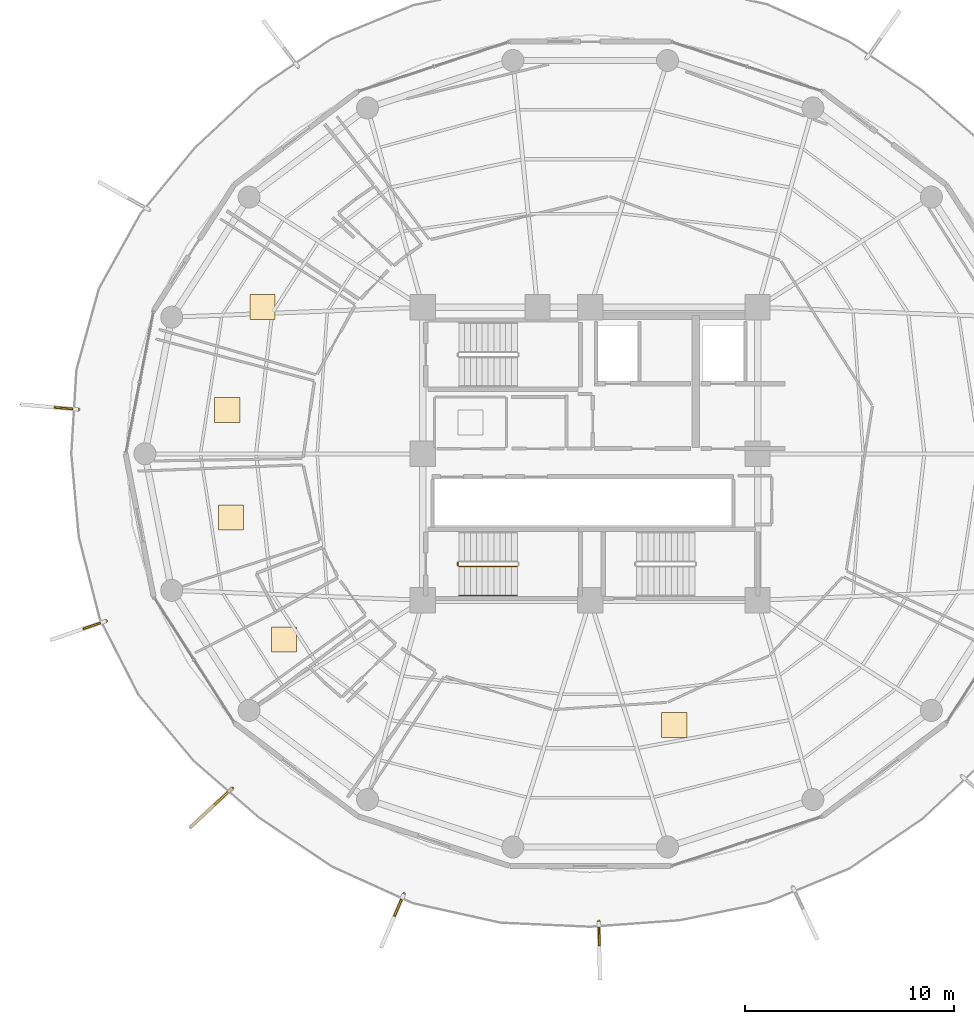
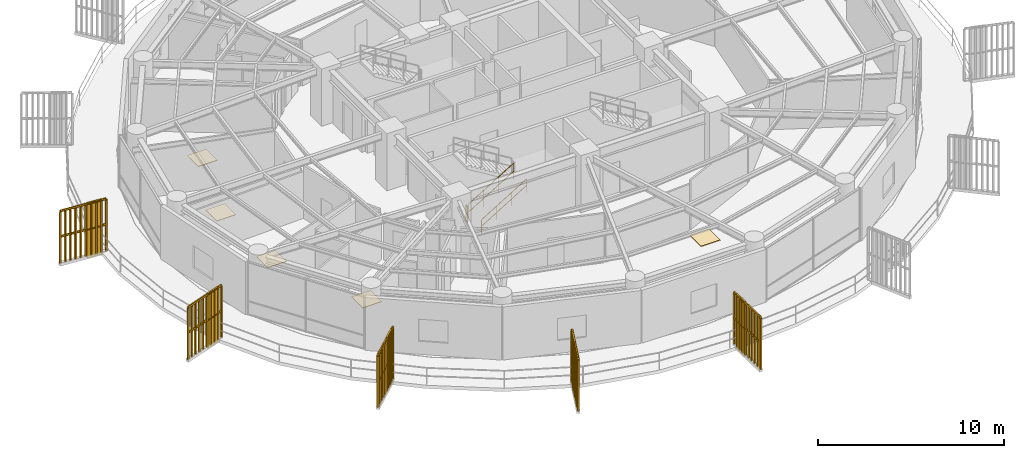
# One storey, part 27 of 30: 8 railings, 5 coverings, 5 shading devices.
"""IFC4 building model written with IfcOpenShell, lengths in metres."""

import ifcopenshell
import ifcopenshell.guid

model = None  # the IFC model being written
_history = None  # IfcOwnerHistory: only IFC2X3 demands one
_inside = {}  # id of a spatial element -> (the spatial element, [elements in it])
_under = {}  # id of a project, library or spatial element -> (it, [spatial elements below it])
_declared = {}  # id of a project -> (the project, [libraries it declares])
_typed = {}  # id of a type object -> (the type object, [elements of that type])
_made_of = {}  # id of a material, layer set ... -> (it, [elements and type objects made of it])


def new_model(schema):
    """Start an empty IFC model of exactly this schema.

    Asked for "IFC4X3", IfcOpenShell would pick the latest addendum, in which some entities
    have other attributes; the version numbers below select the first issue.
    IFC2X3 requires an IfcOwnerHistory on every rooted entity: one is made here for all.
    """
    global model, _history
    if schema == "IFC4X3":
        model = ifcopenshell.file(schema_version=(4, 3, 0, 0))
    else:
        model = ifcopenshell.file(schema=schema)
    _inside.clear()
    _under.clear()
    _declared.clear()
    _typed.clear()
    _made_of.clear()
    _history = None
    if model.schema == "IFC2X3":
        org = make("IfcOrganization", Name="unknown")
        user = make(
            "IfcPersonAndOrganization",
            ThePerson=make("IfcPerson", FamilyName="unknown"),
            TheOrganization=org,
        )
        app = make(
            "IfcApplication",
            ApplicationDeveloper=org,
            Version="unknown",
            ApplicationFullName="unknown",
            ApplicationIdentifier="unknown",
        )
        _history = make(
            "IfcOwnerHistory",
            OwningUser=user,
            OwningApplication=app,
            ChangeAction="ADDED",
            CreationDate=0,
        )
    return model


def make(cls, **values):
    """One entity of the class cls with the attributes given. An attribute that is None is left unset."""
    return model.create_entity(
        cls, **{name: value for name, value in values.items() if value is not None}
    )


def rooted(cls, **values):
    """An entity with a GlobalId (a new one), such as an element, a storey or a relation."""
    return make(cls, GlobalId=ifcopenshell.guid.new(), OwnerHistory=_history, **values)


def si_unit(unit_type, name, prefix=None):
    """IfcSIUnit, for example si_unit("LENGTHUNIT", "METRE", prefix="MILLI")."""
    return make("IfcSIUnit", UnitType=unit_type, Prefix=prefix, Name=name)


def assignment(units):
    """IfcUnitAssignment: the units of a project."""
    return None if units is None else make("IfcUnitAssignment", Units=units)


def point(xyz):
    """IfcCartesianPoint."""
    return None if xyz is None else make("IfcCartesianPoint", Coordinates=xyz)


def direction(xyz):
    """IfcDirection."""
    return None if xyz is None else make("IfcDirection", DirectionRatios=xyz)


def frame(location, z_axis=None, x_axis=None):
    """IfcAxis2Placement3D, a coordinate frame: its origin and axes. An axis left out is left unset."""
    return make(
        "IfcAxis2Placement3D",
        Location=point(location),
        Axis=direction(z_axis),
        RefDirection=direction(x_axis),
    )


def frame_2d(location, x_axis=None):
    """IfcAxis2Placement2D, a coordinate frame in the plane: its origin and x axis."""
    return make(
        "IfcAxis2Placement2D", Location=point(location), RefDirection=direction(x_axis)
    )


def origin():
    """The frame at (0, 0, 0) with its axes left unset."""
    return frame((0.0, 0.0, 0.0))


def origin_2d():
    """The frame at (0, 0) in the plane with its x axis left unset."""
    return frame_2d((0.0, 0.0))


def place(relative_to, where):
    """IfcLocalPlacement: puts the frame where relative to a parent placement (None: the world)."""
    return make(
        "IfcLocalPlacement", PlacementRelTo=relative_to, RelativePlacement=where
    )


def context(
    kind, dimensions, precision=None, world=None, true_north=None, identifier=None
):
    """IfcGeometricRepresentationContext, for example the 3D "Model" context."""
    return make(
        "IfcGeometricRepresentationContext",
        ContextIdentifier=identifier,
        ContextType=kind,
        CoordinateSpaceDimension=dimensions,
        Precision=precision,
        WorldCoordinateSystem=world,
        TrueNorth=true_north,
    )


def subcontext(parent, identifier, kind, view, scale=None):
    """IfcGeometricRepresentationSubContext, for example "Body" below "Model"."""
    return make(
        "IfcGeometricRepresentationSubContext",
        ContextIdentifier=identifier,
        ContextType=kind,
        ParentContext=parent,
        TargetScale=scale,
        TargetView=view,
    )


def project(units=None, contexts=None):
    """IfcProject with its units and contexts."""
    return rooted(
        "IfcProject",
        Name="project",
        RepresentationContexts=contexts,
        UnitsInContext=assignment(units),
    )


def spatial(cls, under=None, at=None, **own):
    """A site, building, storey or space (cls), placed at a placement, below another one or the project."""
    s = rooted(cls, ObjectPlacement=at, **own)
    if under is not None:
        _under.setdefault(under.id(), (under, []))[1].append(s)
    return s


def polyline(points):
    """IfcPolyline through the points."""
    return make("IfcPolyline", Points=[point(p) for p in points])


def profile(cls, at=None, kind="AREA", **sizes):
    """A parametric profile (cls). Its sizes go by their IFC names, for example OverallWidth=200.0."""
    return make(cls, ProfileType=kind, Position=at, **sizes)


def rectangle(**sizes):
    """IfcRectangleProfileDef."""
    return profile("IfcRectangleProfileDef", **sizes)


def outline(outer, holes=None, kind="AREA"):
    """IfcArbitraryClosedProfileDef: a profile drawn as a closed curve; with holes, ...WithVoids."""
    if holes is None:
        return make("IfcArbitraryClosedProfileDef", ProfileType=kind, OuterCurve=outer)
    return make(
        "IfcArbitraryProfileDefWithVoids",
        ProfileType=kind,
        OuterCurve=outer,
        InnerCurves=holes,
    )


def extrude(swept, where, along, depth):
    """IfcExtrudedAreaSolid: the profile swept, set in the frame where, extruded along a direction by depth."""
    return make(
        "IfcExtrudedAreaSolid",
        SweptArea=swept,
        Position=where,
        ExtrudedDirection=direction(along),
        Depth=depth,
    )


def shape(context_of_items, identifier, shape_type, items):
    """IfcShapeRepresentation: the items that make up one representation, for example the "Body"."""
    return make(
        "IfcShapeRepresentation",
        ContextOfItems=context_of_items,
        RepresentationIdentifier=identifier,
        RepresentationType=shape_type,
        Items=items,
    )


def source(mapping_origin, context_of_items, identifier, shape_type, items):
    """IfcRepresentationMap: a shape defined once, which mapped items show again and again."""
    return make(
        "IfcRepresentationMap",
        MappingOrigin=mapping_origin,
        MappedRepresentation=shape(context_of_items, identifier, shape_type, items),
    )


def transform(
    local_origin,
    x_axis=None,
    y_axis=None,
    z_axis=None,
    scale=None,
    scale2=None,
    scale3=None,
    uniform=True,
):
    """IfcCartesianTransformationOperator3D, or its non-uniform kind. x_axis, y_axis, z_axis: its Axis1, 2, 3."""
    if uniform:
        return make(
            "IfcCartesianTransformationOperator3D",
            Axis1=direction(x_axis),
            Axis2=direction(y_axis),
            LocalOrigin=point(local_origin),
            Scale=scale,
            Axis3=direction(z_axis),
        )
    return make(
        "IfcCartesianTransformationOperator3DnonUniform",
        Axis1=direction(x_axis),
        Axis2=direction(y_axis),
        LocalOrigin=point(local_origin),
        Scale=scale,
        Axis3=direction(z_axis),
        Scale2=scale2,
        Scale3=scale3,
    )


def mapped(mapping_source, mapping_target):
    """IfcMappedItem: shows the shape of a source again, moved by a transform."""
    return make(
        "IfcMappedItem", MappingSource=mapping_source, MappingTarget=mapping_target
    )


def material(Name=None, Category=None):
    """IfcMaterial."""
    return make("IfcMaterial", Name=Name, Category=Category)


def layer(
    of_material, thickness, ventilated=None, Name=None, Category=None, Priority=None
):
    """IfcMaterialLayer: one layer of a wall or slab, of a material (None: an air gap)."""
    return make(
        "IfcMaterialLayer",
        Material=of_material,
        LayerThickness=thickness,
        IsVentilated=ventilated,
        Name=Name,
        Category=Category,
        Priority=Priority,
    )


def layer_set(layers, Name=None):
    """IfcMaterialLayerSet."""
    return make("IfcMaterialLayerSet", MaterialLayers=layers, LayerSetName=Name)


def made_of(thing, what):
    """Note that an element or type object is made of a material, layer set ...; save() writes the relation."""
    if what is not None:
        _made_of.setdefault(what.id(), (what, []))[1].append(thing)
    return thing


def type_object(cls, material=None, **own):
    """A type object (cls), such as IfcWallType, which elements share."""
    return made_of(rooted(cls, **own), material)


def element(
    cls,
    number,
    at=None,
    inside=None,
    cuts=None,
    type_object=None,
    material=None,
    context=None,
    identifier="Body",
    shape_type=None,
    held_by="IfcProductDefinitionShape",
    body=None,
    shapes=None,
    **own,
):
    """One element of the class cls, such as IfcWall. Its Tag is "e" and its number.

    at: its placement. inside: the storey or other place that contains it. cuts: it is an
    opening in that element (IfcRelVoidsElement). A single representation is given by context,
    identifier, shape_type and body (its items); several are given by shapes. held_by: the class
    of the entity that holds the representations. save() writes the other relations.
    """
    e = rooted(cls, Tag="e%d" % number, ObjectPlacement=at, **own)
    if body is not None:
        shapes = [shape(context, identifier, shape_type, body)]
    if shapes is not None:
        e.Representation = make(held_by, Representations=shapes)
    if inside is not None:
        _inside.setdefault(inside.id(), (inside, []))[1].append(e)
    if cuts is not None:
        rooted(
            "IfcRelVoidsElement", RelatingBuildingElement=cuts, RelatedOpeningElement=e
        )
    if type_object is not None:
        _typed.setdefault(type_object.id(), (type_object, []))[1].append(e)
    return made_of(e, material)


def aggregate(whole, parts):
    """IfcRelAggregates: a whole, such as a stair, and the parts it consists of."""
    return rooted("IfcRelAggregates", RelatingObject=whole, RelatedObjects=parts)


def save(model, path):
    """Write the relations noted so far, then the file.

    IfcRelAggregates (storeys below a building ...), IfcRelContainedInSpatialStructure (elements
    in a storey), IfcRelDefinesByType, IfcRelAssociatesMaterial and IfcRelDeclares: one each for
    every whole, place, type object, material and project.
    """
    for whole, parts in _under.values():
        aggregate(whole, parts)
    for where, things in _inside.values():
        rooted(
            "IfcRelContainedInSpatialStructure",
            RelatedElements=things,
            RelatingStructure=where,
        )
    for kind, things in _typed.values():
        rooted("IfcRelDefinesByType", RelatedObjects=things, RelatingType=kind)
    for what, things in _made_of.values():
        rooted("IfcRelAssociatesMaterial", RelatedObjects=things, RelatingMaterial=what)
    for by, libraries in _declared.values():
        rooted("IfcRelDeclares", RelatingContext=by, RelatedDefinitions=libraries)
    model.write(path)


model = new_model("IFC4")

# Units and contexts
model_context = context("Model", 3, precision=1e-05, world=origin(), true_north=direction((0.0, 1.0)))
body_context = subcontext(model_context, "Body", "Model", "MODEL_VIEW")
ifc_project = project(units=[si_unit("LENGTHUNIT", "METRE"), si_unit("AREAUNIT", "SQUARE_METRE"), si_unit("VOLUMEUNIT", "CUBIC_METRE"), si_unit("PLANEANGLEUNIT", "RADIAN"), si_unit("MASSUNIT", "GRAM", prefix="KILO")], contexts=[model_context])

# Site, building, storey
site_placement = place(None, origin())
site = spatial("IfcSite", under=ifc_project, at=site_placement, CompositionType="ELEMENT")
building_placement = place(site_placement, origin())
building = spatial("IfcBuilding", under=site, at=building_placement, Name="Kelanora Arch Commons", CompositionType="ELEMENT")
storey_placement = place(building_placement, frame((0.0, 0.0, 215.699951171875)))
storey = spatial("IfcBuildingStorey", under=building, at=storey_placement, Name="L55", CompositionType="ELEMENT", Elevation=215.699951171875)

# Railings
ifc_material_1 = material(Name="Anodised bronze vertical shading fin rib assembly")
railing_type_1 = type_object("IfcRailingType", Name="RAIL-FIN-BRZ", PredefinedType="BALUSTRADE", material=ifc_material_1)
railing_1_placement = place(storey_placement, frame((49.55322265625, 60.115966796875, -0.02001953125)))
element("IfcRailing", 1, at=railing_1_placement, inside=storey, type_object=railing_type_1, Name="Sweeping Bronze Vertical Fin Blade L55-09", PredefinedType="BALUSTRADE", context=body_context, shape_type="SweptSolid", body=[
    extrude(outline(polyline([(0.06982421875, 0.0), (0.034912109375, 0.060546875), (-0.034912109375, 0.060546875), (-0.06982421875, 0.0), (-0.034912109375, -0.060546875), (0.034912109375, -0.060546875), (0.06982421875, 0.0)])), frame((0.0, 0.0, 3.419921875), z_axis=(-0.996276743777, 0.086212816966, 0.0), x_axis=(-0.086212816966, -0.996276743777, 0.0)), (0.0, 0.0, 1.0), 2.72998046875),
    extrude(outline(polyline([(0.06982421875, 0.0), (0.034912109375, 0.060546875), (-0.034912109375, 0.060546875), (-0.06982421875, 0.0), (-0.034912109375, -0.060546875), (0.034912109375, -0.060546875), (0.06982421875, 0.0)])), frame((0.0, 0.0, 1.7451171875), z_axis=(-0.996276743777, 0.086212816966, 0.0), x_axis=(-0.086212816966, -0.996276743777, 0.0)), (0.0, 0.0, 1.0), 2.72998046875),
    extrude(outline(polyline([(0.080078125, 0.0), (0.0400390625, 0.0693359375), (-0.0400390625, 0.0693359375), (-0.080078125, 0.0), (-0.0400390625, -0.0693359375), (0.0400390625, -0.0693359375), (0.080078125, 0.0)])), origin(), (0.0, 0.0, 1.0), 3.35009765625),
    extrude(outline(polyline([(0.080078125, 0.0), (0.0400390625, 0.0693359375), (-0.0400390625, 0.0693359375), (-0.080078125, 0.0), (-0.0400390625, -0.0693359375), (0.0400390625, -0.0693359375), (0.080078125, 0.0)])), frame((-0.30224609375, 0.026123046875, 0.0)), (0.0, 0.0, 1.0), 3.35009765625),
    extrude(outline(polyline([(0.080078125, 0.0), (0.0400390625, 0.0693359375), (-0.0400390625, 0.0693359375), (-0.080078125, 0.0), (-0.0400390625, -0.0693359375), (0.0400390625, -0.0693359375), (0.080078125, 0.0)])), frame((-0.6044921875, 0.05224609375, 0.0)), (0.0, 0.0, 1.0), 3.35009765625),
    extrude(outline(polyline([(0.080078125, 0.0), (0.0400390625, 0.0693359375), (-0.0400390625, 0.0693359375), (-0.080078125, 0.0), (-0.0400390625, -0.0693359375), (0.0400390625, -0.0693359375), (0.080078125, 0.0)])), frame((-0.906494140625, 0.078369140625, 0.0)), (0.0, 0.0, 1.0), 3.35009765625),
    extrude(outline(polyline([(0.080078125, 0.0), (0.0400390625, 0.0693359375), (-0.0400390625, 0.0693359375), (-0.080078125, 0.0), (-0.0400390625, -0.0693359375), (0.0400390625, -0.0693359375), (0.080078125, 0.0)])), frame((-1.208740234375, 0.1044921875, 0.0)), (0.0, 0.0, 1.0), 3.35009765625),
    extrude(outline(polyline([(0.080078125, 0.0), (0.0400390625, 0.0693359375), (-0.0400390625, 0.0693359375), (-0.080078125, 0.0), (-0.0400390625, -0.0693359375), (0.0400390625, -0.0693359375), (0.080078125, 0.0)])), frame((-1.510986328125, 0.130859375, 0.0)), (0.0, 0.0, 1.0), 3.35009765625),
    extrude(outline(polyline([(0.080078125, 0.0), (0.0400390625, 0.0693359375), (-0.0400390625, 0.0693359375), (-0.080078125, 0.0), (-0.0400390625, -0.0693359375), (0.0400390625, -0.0693359375), (0.080078125, 0.0)])), frame((-1.813232421875, 0.156982421875, 0.0)), (0.0, 0.0, 1.0), 3.35009765625),
    extrude(outline(polyline([(0.080078125, 0.0), (0.0400390625, 0.0693359375), (-0.0400390625, 0.0693359375), (-0.080078125, 0.0), (-0.0400390625, -0.0693359375), (0.0400390625, -0.0693359375), (0.080078125, 0.0)])), frame((-2.115234375, 0.18310546875, 0.0)), (0.0, 0.0, 1.0), 3.35009765625),
    extrude(outline(polyline([(0.080078125, 0.0), (0.0400390625, 0.0693359375), (-0.0400390625, 0.0693359375), (-0.080078125, 0.0), (-0.0400390625, -0.0693359375), (0.0400390625, -0.0693359375), (0.080078125, 0.0)])), frame((-2.41748046875, 0.209228515625, 0.0)), (0.0, 0.0, 1.0), 3.35009765625),
    extrude(outline(polyline([(0.080078125, 0.0), (0.0400390625, 0.0693359375), (-0.0400390625, 0.0693359375), (-0.080078125, 0.0), (-0.0400390625, -0.0693359375), (0.0400390625, -0.0693359375), (0.080078125, 0.0)])), frame((-2.7197265625, 0.2353515625, 0.0)), (0.0, 0.0, 1.0), 3.35009765625),
])
railing_2_placement = place(storey_placement, frame((50.864013671875, 50.009765625, -0.02001953125)))
element("IfcRailing", 2, at=railing_2_placement, inside=storey, type_object=railing_type_1, Name="Sweeping Bronze Vertical Fin Blade L55-10", PredefinedType="BALUSTRADE", context=body_context, shape_type="SweptSolid", body=[
    extrude(outline(polyline([(0.06982421875, 0.0), (0.034912109375, 0.060546875), (-0.034912109375, 0.060546875), (-0.06982421875, 0.0), (-0.034912109375, -0.060546875), (0.034912109375, -0.060546875), (0.06982421875, 0.0)])), frame((0.0, 0.0, 3.419921875), z_axis=(-0.945202749365, -0.326483939256, 0.0), x_axis=(0.326483939256, -0.945202749365, 0.0)), (0.0, 0.0, 1.0), 2.730224609375),
    extrude(outline(polyline([(0.06982421875, 0.0), (0.034912109375, 0.060546875), (-0.034912109375, 0.060546875), (-0.06982421875, 0.0), (-0.034912109375, -0.060546875), (0.034912109375, -0.060546875), (0.06982421875, 0.0)])), frame((0.0, 0.0, 1.7451171875), z_axis=(-0.945202749365, -0.326483939256, 0.0), x_axis=(0.326483939256, -0.945202749365, 0.0)), (0.0, 0.0, 1.0), 2.730224609375),
    extrude(outline(polyline([(0.080078125, 0.0), (0.0400390625, 0.0693359375), (-0.0400390625, 0.0693359375), (-0.080078125, 0.0), (-0.0400390625, -0.0693359375), (0.0400390625, -0.0693359375), (0.080078125, 0.0)])), origin(), (0.0, 0.0, 1.0), 3.35009765625),
    extrude(outline(polyline([(0.080078125, 0.0), (0.0400390625, 0.0693359375), (-0.0400390625, 0.0693359375), (-0.080078125, 0.0), (-0.0400390625, -0.0693359375), (0.0400390625, -0.0693359375), (0.080078125, 0.0)])), frame((-0.28662109375, -0.09912109375, 0.0)), (0.0, 0.0, 1.0), 3.35009765625),
    extrude(outline(polyline([(0.080078125, 0.0), (0.0400390625, 0.0693359375), (-0.0400390625, 0.0693359375), (-0.080078125, 0.0), (-0.0400390625, -0.0693359375), (0.0400390625, -0.0693359375), (0.080078125, 0.0)])), frame((-0.573486328125, -0.197998046875, 0.0)), (0.0, 0.0, 1.0), 3.35009765625),
    extrude(outline(polyline([(0.080078125, 0.0), (0.0400390625, 0.0693359375), (-0.0400390625, 0.0693359375), (-0.080078125, 0.0), (-0.0400390625, -0.0693359375), (0.0400390625, -0.0693359375), (0.080078125, 0.0)])), frame((-0.860107421875, -0.297119140625, 0.0)), (0.0, 0.0, 1.0), 3.35009765625),
    extrude(outline(polyline([(0.080078125, 0.0), (0.0400390625, 0.0693359375), (-0.0400390625, 0.0693359375), (-0.080078125, 0.0), (-0.0400390625, -0.0693359375), (0.0400390625, -0.0693359375), (0.080078125, 0.0)])), frame((-1.14697265625, -0.396240234375, 0.0)), (0.0, 0.0, 1.0), 3.35009765625),
    extrude(outline(polyline([(0.080078125, 0.0), (0.0400390625, 0.0693359375), (-0.0400390625, 0.0693359375), (-0.080078125, 0.0), (-0.0400390625, -0.0693359375), (0.0400390625, -0.0693359375), (0.080078125, 0.0)])), frame((-1.43359375, -0.4951171875, 0.0)), (0.0, 0.0, 1.0), 3.35009765625),
    extrude(outline(polyline([(0.080078125, 0.0), (0.0400390625, 0.0693359375), (-0.0400390625, 0.0693359375), (-0.080078125, 0.0), (-0.0400390625, -0.0693359375), (0.0400390625, -0.0693359375), (0.080078125, 0.0)])), frame((-1.720458984375, -0.59423828125, 0.0)), (0.0, 0.0, 1.0), 3.35009765625),
    extrude(outline(polyline([(0.080078125, 0.0), (0.0400390625, 0.0693359375), (-0.0400390625, 0.0693359375), (-0.080078125, 0.0), (-0.0400390625, -0.0693359375), (0.0400390625, -0.0693359375), (0.080078125, 0.0)])), frame((-2.007080078125, -0.693359375, 0.0)), (0.0, 0.0, 1.0), 3.35009765625),
    extrude(outline(polyline([(0.080078125, 0.0), (0.0400390625, 0.0693359375), (-0.0400390625, 0.0693359375), (-0.080078125, 0.0), (-0.0400390625, -0.0693359375), (0.0400390625, -0.0693359375), (0.080078125, 0.0)])), frame((-2.2939453125, -0.792236328125, 0.0)), (0.0, 0.0, 1.0), 3.35009765625),
    extrude(outline(polyline([(0.080078125, 0.0), (0.0400390625, 0.0693359375), (-0.0400390625, 0.0693359375), (-0.080078125, 0.0), (-0.0400390625, -0.0693359375), (0.0400390625, -0.0693359375), (0.080078125, 0.0)])), frame((-2.58056640625, -0.891357421875, 0.0)), (0.0, 0.0, 1.0), 3.35009765625),
])
railing_3_placement = place(storey_placement, frame((56.894287109375, 42.01904296875, -0.02001953125)))
element("IfcRailing", 3, at=railing_3_placement, inside=storey, type_object=railing_type_1, Name="Sweeping Bronze Vertical Fin Blade L55-11", PredefinedType="BALUSTRADE", context=body_context, shape_type="SweptSolid", body=[
    extrude(outline(polyline([(0.06982421875, 0.0), (0.034912109375, 0.060546875), (-0.034912109375, 0.060546875), (-0.06982421875, 0.0), (-0.034912109375, -0.060546875), (0.034912109375, -0.060546875), (0.06982421875, 0.0)])), frame((0.0, 0.0, 3.419921875), z_axis=(-0.730754822397, -0.682640014607, 0.0), x_axis=(0.682640014607, -0.730754822397, 0.0)), (0.0, 0.0, 1.0), 2.72998046875),
    extrude(outline(polyline([(0.06982421875, 0.0), (0.034912109375, 0.060546875), (-0.034912109375, 0.060546875), (-0.06982421875, 0.0), (-0.034912109375, -0.060546875), (0.034912109375, -0.060546875), (0.06982421875, 0.0)])), frame((0.0, 0.0, 1.7451171875), z_axis=(-0.730754822397, -0.682640014607, 0.0), x_axis=(0.682640014607, -0.730754822397, 0.0)), (0.0, 0.0, 1.0), 2.72998046875),
    extrude(outline(polyline([(0.080078125, 0.0), (0.0400390625, 0.0693359375), (-0.0400390625, 0.0693359375), (-0.080078125, 0.0), (-0.0400390625, -0.0693359375), (0.0400390625, -0.0693359375), (0.080078125, 0.0)])), origin(), (0.0, 0.0, 1.0), 3.35009765625),
    extrude(outline(polyline([(0.080078125, 0.0), (0.0400390625, 0.0693359375), (-0.0400390625, 0.0693359375), (-0.080078125, 0.0), (-0.0400390625, -0.0693359375), (0.0400390625, -0.0693359375), (0.080078125, 0.0)])), frame((-0.2216796875, -0.20703125, 0.0)), (0.0, 0.0, 1.0), 3.35009765625),
    extrude(outline(polyline([(0.080078125, 0.0), (0.0400390625, 0.0693359375), (-0.0400390625, 0.0693359375), (-0.080078125, 0.0), (-0.0400390625, -0.0693359375), (0.0400390625, -0.0693359375), (0.080078125, 0.0)])), frame((-0.443359375, -0.4140625, 0.0)), (0.0, 0.0, 1.0), 3.35009765625),
    extrude(outline(polyline([(0.080078125, 0.0), (0.0400390625, 0.0693359375), (-0.0400390625, 0.0693359375), (-0.080078125, 0.0), (-0.0400390625, -0.0693359375), (0.0400390625, -0.0693359375), (0.080078125, 0.0)])), frame((-0.6650390625, -0.62109375, 0.0)), (0.0, 0.0, 1.0), 3.35009765625),
    extrude(outline(polyline([(0.080078125, 0.0), (0.0400390625, 0.0693359375), (-0.0400390625, 0.0693359375), (-0.080078125, 0.0), (-0.0400390625, -0.0693359375), (0.0400390625, -0.0693359375), (0.080078125, 0.0)])), frame((-0.88671875, -0.828125, 0.0)), (0.0, 0.0, 1.0), 3.35009765625),
    extrude(outline(polyline([(0.080078125, 0.0), (0.0400390625, 0.0693359375), (-0.0400390625, 0.0693359375), (-0.080078125, 0.0), (-0.0400390625, -0.0693359375), (0.0400390625, -0.0693359375), (0.080078125, 0.0)])), frame((-1.108154296875, -1.035400390625, 0.0)), (0.0, 0.0, 1.0), 3.35009765625),
    extrude(outline(polyline([(0.080078125, 0.0), (0.0400390625, 0.0693359375), (-0.0400390625, 0.0693359375), (-0.080078125, 0.0), (-0.0400390625, -0.0693359375), (0.0400390625, -0.0693359375), (0.080078125, 0.0)])), frame((-1.329833984375, -1.242431640625, 0.0)), (0.0, 0.0, 1.0), 3.35009765625),
    extrude(outline(polyline([(0.080078125, 0.0), (0.0400390625, 0.0693359375), (-0.0400390625, 0.0693359375), (-0.080078125, 0.0), (-0.0400390625, -0.0693359375), (0.0400390625, -0.0693359375), (0.080078125, 0.0)])), frame((-1.551513671875, -1.449462890625, 0.0)), (0.0, 0.0, 1.0), 3.35009765625),
    extrude(outline(polyline([(0.080078125, 0.0), (0.0400390625, 0.0693359375), (-0.0400390625, 0.0693359375), (-0.080078125, 0.0), (-0.0400390625, -0.0693359375), (0.0400390625, -0.0693359375), (0.080078125, 0.0)])), frame((-1.773193359375, -1.656494140625, 0.0)), (0.0, 0.0, 1.0), 3.35009765625),
    extrude(outline(polyline([(0.080078125, 0.0), (0.0400390625, 0.0693359375), (-0.0400390625, 0.0693359375), (-0.080078125, 0.0), (-0.0400390625, -0.0693359375), (0.0400390625, -0.0693359375), (0.080078125, 0.0)])), frame((-1.994873046875, -1.863525390625, 0.0)), (0.0, 0.0, 1.0), 3.35009765625),
])
railing_4_placement = place(storey_placement, frame((65.094970703125, 36.966796875, -0.02001953125)))
element("IfcRailing", 4, at=railing_4_placement, inside=storey, type_object=railing_type_1, Name="Sweeping Bronze Vertical Fin Blade L55-12", PredefinedType="BALUSTRADE", context=body_context, shape_type="SweptSolid", body=[
    extrude(outline(polyline([(0.06982421875, 0.0), (0.034912109375, 0.060546875), (-0.034912109375, 0.060546875), (-0.06982421875, 0.0), (-0.034912109375, -0.060546875), (0.034912109375, -0.060546875), (0.06982421875, 0.0)])), frame((0.0, 0.0, 3.419921875), z_axis=(-0.38991129111, -0.920852423065, 0.0), x_axis=(0.920852423065, -0.38991129111, 0.0)), (0.0, 0.0, 1.0), 2.72998046875),
    extrude(outline(polyline([(0.06982421875, 0.0), (0.034912109375, 0.060546875), (-0.034912109375, 0.060546875), (-0.06982421875, 0.0), (-0.034912109375, -0.060546875), (0.034912109375, -0.060546875), (0.06982421875, 0.0)])), frame((0.0, 0.0, 1.7451171875), z_axis=(-0.38991129111, -0.920852423065, 0.0), x_axis=(0.920852423065, -0.38991129111, 0.0)), (0.0, 0.0, 1.0), 2.72998046875),
    extrude(outline(polyline([(0.080078125, 0.0), (0.0400390625, 0.0693359375), (-0.0400390625, 0.0693359375), (-0.080078125, 0.0), (-0.0400390625, -0.0693359375), (0.0400390625, -0.0693359375), (0.080078125, 0.0)])), origin(), (0.0, 0.0, 1.0), 3.35009765625),
    extrude(outline(polyline([(0.080078125, 0.0), (0.0400390625, 0.0693359375), (-0.0400390625, 0.0693359375), (-0.080078125, 0.0), (-0.0400390625, -0.0693359375), (0.0400390625, -0.0693359375), (0.080078125, 0.0)])), frame((-0.1181640625, -0.279296875, 0.0)), (0.0, 0.0, 1.0), 3.35009765625),
    extrude(outline(polyline([(0.080078125, 0.0), (0.0400390625, 0.0693359375), (-0.0400390625, 0.0693359375), (-0.080078125, 0.0), (-0.0400390625, -0.0693359375), (0.0400390625, -0.0693359375), (0.080078125, 0.0)])), frame((-0.236572265625, -0.55859375, 0.0)), (0.0, 0.0, 1.0), 3.35009765625),
    extrude(outline(polyline([(0.080078125, 0.0), (0.0400390625, 0.0693359375), (-0.0400390625, 0.0693359375), (-0.080078125, 0.0), (-0.0400390625, -0.0693359375), (0.0400390625, -0.0693359375), (0.080078125, 0.0)])), frame((-0.354736328125, -0.837890625, 0.0)), (0.0, 0.0, 1.0), 3.35009765625),
    extrude(outline(polyline([(0.080078125, 0.0), (0.0400390625, 0.0693359375), (-0.0400390625, 0.0693359375), (-0.080078125, 0.0), (-0.0400390625, -0.0693359375), (0.0400390625, -0.0693359375), (0.080078125, 0.0)])), frame((-0.47314453125, -1.1171875, 0.0)), (0.0, 0.0, 1.0), 3.35009765625),
    extrude(outline(polyline([(0.080078125, 0.0), (0.0400390625, 0.0693359375), (-0.0400390625, 0.0693359375), (-0.080078125, 0.0), (-0.0400390625, -0.0693359375), (0.0400390625, -0.0693359375), (0.080078125, 0.0)])), frame((-0.59130859375, -1.396728515625, 0.0)), (0.0, 0.0, 1.0), 3.35009765625),
    extrude(outline(polyline([(0.080078125, 0.0), (0.0400390625, 0.0693359375), (-0.0400390625, 0.0693359375), (-0.080078125, 0.0), (-0.0400390625, -0.0693359375), (0.0400390625, -0.0693359375), (0.080078125, 0.0)])), frame((-0.709716796875, -1.676025390625, 0.0)), (0.0, 0.0, 1.0), 3.35009765625),
    extrude(outline(polyline([(0.080078125, 0.0), (0.0400390625, 0.0693359375), (-0.0400390625, 0.0693359375), (-0.080078125, 0.0), (-0.0400390625, -0.0693359375), (0.0400390625, -0.0693359375), (0.080078125, 0.0)])), frame((-0.827880859375, -1.955322265625, 0.0)), (0.0, 0.0, 1.0), 3.35009765625),
    extrude(outline(polyline([(0.080078125, 0.0), (0.0400390625, 0.0693359375), (-0.0400390625, 0.0693359375), (-0.080078125, 0.0), (-0.0400390625, -0.0693359375), (0.0400390625, -0.0693359375), (0.080078125, 0.0)])), frame((-0.9462890625, -2.234619140625, 0.0)), (0.0, 0.0, 1.0), 3.35009765625),
    extrude(outline(polyline([(0.080078125, 0.0), (0.0400390625, 0.0693359375), (-0.0400390625, 0.0693359375), (-0.080078125, 0.0), (-0.0400390625, -0.0693359375), (0.0400390625, -0.0693359375), (0.080078125, 0.0)])), frame((-1.064453125, -2.513916015625, 0.0)), (0.0, 0.0, 1.0), 3.35009765625),
])
railing_5_placement = place(storey_placement, frame((74.41064453125, 35.654052734375, -0.02001953125)))
element("IfcRailing", 5, at=railing_5_placement, inside=storey, type_object=railing_type_1, Name="Sweeping Bronze Vertical Fin Blade L55-13", PredefinedType="BALUSTRADE", context=body_context, shape_type="SweptSolid", body=[
    extrude(outline(polyline([(0.06982421875, 0.0), (0.034912109375, 0.060546875), (-0.034912109375, 0.060546875), (-0.06982421875, 0.0), (-0.034912109375, -0.060546875), (0.034912109375, -0.060546875), (0.06982421875, 0.0)])), frame((0.0, 0.0, 3.419921875), z_axis=(0.01842263323, -0.999830288892, 0.0), x_axis=(0.999830288892, 0.01842263323, 0.0)), (0.0, 0.0, 1.0), 2.72998046875),
    extrude(outline(polyline([(0.06982421875, 0.0), (0.034912109375, 0.060546875), (-0.034912109375, 0.060546875), (-0.06982421875, 0.0), (-0.034912109375, -0.060546875), (0.034912109375, -0.060546875), (0.06982421875, 0.0)])), frame((0.0, 0.0, 1.7451171875), z_axis=(0.01842263323, -0.999830288892, 0.0), x_axis=(0.999830288892, 0.01842263323, 0.0)), (0.0, 0.0, 1.0), 2.72998046875),
    extrude(outline(polyline([(0.080078125, 0.0), (0.0400390625, 0.0693359375), (-0.0400390625, 0.0693359375), (-0.080078125, 0.0), (-0.0400390625, -0.0693359375), (0.0400390625, -0.0693359375), (0.080078125, 0.0)])), origin(), (0.0, 0.0, 1.0), 3.35009765625),
    extrude(outline(polyline([(0.080078125, 0.0), (0.0400390625, 0.0693359375), (-0.0400390625, 0.0693359375), (-0.080078125, 0.0), (-0.0400390625, -0.0693359375), (0.0400390625, -0.0693359375), (0.080078125, 0.0)])), frame((0.005615234375, -0.30322265625, 0.0)), (0.0, 0.0, 1.0), 3.35009765625),
    extrude(outline(polyline([(0.080078125, 0.0), (0.0400390625, 0.0693359375), (-0.0400390625, 0.0693359375), (-0.080078125, 0.0), (-0.0400390625, -0.0693359375), (0.0400390625, -0.0693359375), (0.080078125, 0.0)])), frame((0.01123046875, -0.6064453125, 0.0)), (0.0, 0.0, 1.0), 3.35009765625),
    extrude(outline(polyline([(0.080078125, 0.0), (0.0400390625, 0.0693359375), (-0.0400390625, 0.0693359375), (-0.080078125, 0.0), (-0.0400390625, -0.0693359375), (0.0400390625, -0.0693359375), (0.080078125, 0.0)])), frame((0.016845703125, -0.909912109375, 0.0)), (0.0, 0.0, 1.0), 3.35009765625),
    extrude(outline(polyline([(0.080078125, 0.0), (0.0400390625, 0.0693359375), (-0.0400390625, 0.0693359375), (-0.080078125, 0.0), (-0.0400390625, -0.0693359375), (0.0400390625, -0.0693359375), (0.080078125, 0.0)])), frame((0.0224609375, -1.213134765625, 0.0)), (0.0, 0.0, 1.0), 3.35009765625),
    extrude(outline(polyline([(0.080078125, 0.0), (0.0400390625, 0.0693359375), (-0.0400390625, 0.0693359375), (-0.080078125, 0.0), (-0.0400390625, -0.0693359375), (0.0400390625, -0.0693359375), (0.080078125, 0.0)])), frame((0.02783203125, -1.516357421875, 0.0)), (0.0, 0.0, 1.0), 3.35009765625),
    extrude(outline(polyline([(0.080078125, 0.0), (0.0400390625, 0.0693359375), (-0.0400390625, 0.0693359375), (-0.080078125, 0.0), (-0.0400390625, -0.0693359375), (0.0400390625, -0.0693359375), (0.080078125, 0.0)])), frame((0.033447265625, -1.819580078125, 0.0)), (0.0, 0.0, 1.0), 3.35009765625),
    extrude(outline(polyline([(0.080078125, 0.0), (0.0400390625, 0.0693359375), (-0.0400390625, 0.0693359375), (-0.080078125, 0.0), (-0.0400390625, -0.0693359375), (0.0400390625, -0.0693359375), (0.080078125, 0.0)])), frame((0.0390625, -2.123046875, 0.0)), (0.0, 0.0, 1.0), 3.35009765625),
    extrude(outline(polyline([(0.080078125, 0.0), (0.0400390625, 0.0693359375), (-0.0400390625, 0.0693359375), (-0.080078125, 0.0), (-0.0400390625, -0.0693359375), (0.0400390625, -0.0693359375), (0.080078125, 0.0)])), frame((0.044677734375, -2.42626953125, 0.0)), (0.0, 0.0, 1.0), 3.35009765625),
    extrude(outline(polyline([(0.080078125, 0.0), (0.0400390625, 0.0693359375), (-0.0400390625, 0.0693359375), (-0.080078125, 0.0), (-0.0400390625, -0.0693359375), (0.0400390625, -0.0693359375), (0.080078125, 0.0)])), frame((0.05029296875, -2.7294921875, 0.0)), (0.0, 0.0, 1.0), 3.35009765625),
])
ifc_material_2 = material(Name="Painted steel stair well guard", Category="steel")
railing_type_2 = type_object("IfcRailingType", Name="RAIL-STAIR-GRD", PredefinedType="GUARDRAIL", material=ifc_material_2)
railing_6_placement = place(storey_placement, frame((67.719970703125, 52.610107421875, 0.17041015625)))
element("IfcRailing", 6, at=railing_6_placement, inside=storey, type_object=railing_type_2, Name="L55 ST-T3 stair guard 1", PredefinedType="GUARDRAIL", context=body_context, shape_type="SweptSolid", body=[
    extrude(outline(polyline([(0.02392578125, 0.0), (0.011962890625, 0.020751953125), (-0.011962890625, 0.020751953125), (-0.02392578125, 0.0), (-0.011962890625, -0.020751953125), (0.011962890625, -0.020751953125), (0.02392578125, 0.0)])), frame((0.0, 0.0, 1.076171875), z_axis=(0.854169791009, 0.0, 0.51999420009), x_axis=(0.0, 1.0, 0.0)), (0.0, 0.0, 1.0), 3.278076171875),
    extrude(outline(polyline([(0.02392578125, 0.0), (0.011962890625, 0.020751953125), (-0.011962890625, 0.020751953125), (-0.02392578125, 0.0), (-0.011962890625, -0.020751953125), (0.011962890625, -0.020751953125), (0.02392578125, 0.0)])), frame((0.0, 0.0, 0.550048828125), z_axis=(0.854169791009, 0.0, 0.51999420009), x_axis=(0.0, 1.0, 0.0)), (0.0, 0.0, 1.0), 3.278076171875),
    extrude(outline(polyline([(0.02099609375, 0.0), (0.010498046875, 0.01806640625), (-0.010498046875, 0.01806640625), (-0.02099609375, 0.0), (-0.010498046875, -0.01806640625), (0.010498046875, -0.01806640625), (0.02099609375, 0.0)])), origin(), (0.0, 0.0, 1.0), 1.052001953125),
    extrude(outline(polyline([(0.02099609375, 0.0), (0.010498046875, 0.01806640625), (-0.010498046875, 0.01806640625), (-0.02099609375, 0.0), (-0.010498046875, -0.01806640625), (0.010498046875, -0.01806640625), (0.02099609375, 0.0)])), frame((0.933349609375, 0.0, 0.568115234375)), (0.0, 0.0, 1.0), 1.052001953125),
    extrude(outline(polyline([(0.02099609375, 0.0), (0.010498046875, 0.01806640625), (-0.010498046875, 0.01806640625), (-0.02099609375, 0.0), (-0.010498046875, -0.01806640625), (0.010498046875, -0.01806640625), (0.02099609375, 0.0)])), frame((1.86669921875, 0.0, 1.136474609375)), (0.0, 0.0, 1.0), 1.052001953125),
    extrude(outline(polyline([(0.02099609375, 0.0), (0.010498046875, 0.01806640625), (-0.010498046875, 0.01806640625), (-0.02099609375, 0.0), (-0.010498046875, -0.01806640625), (0.010498046875, -0.01806640625), (0.02099609375, 0.0)])), frame((2.800048828125, 0.0, 1.70458984375)), (0.0, 0.0, 1.0), 1.052001953125),
])
railing_7_placement = place(storey_placement, frame((67.669921875, 52.659912109375, 0.0)))
element("IfcRailing", 7, at=railing_7_placement, inside=storey, type_object=railing_type_2, Name="L55 ST-T3 stair guard 4", PredefinedType="GUARDRAIL", context=body_context, shape_type="SweptSolid", body=[
    extrude(outline(polyline([(0.02392578125, 0.0), (0.011962890625, 0.020751953125), (-0.011962890625, 0.020751953125), (-0.02392578125, 0.0), (-0.011962890625, -0.020751953125), (0.011962890625, -0.020751953125), (0.02392578125, 0.0)])), frame((0.0, 0.0, 1.076171875), z_axis=(0.0, 1.0, 0.0), x_axis=(-1.0, 0.0, 0.0)), (0.0, 0.0, 1.0), 0.150146484375),
    extrude(outline(polyline([(0.02392578125, 0.0), (0.011962890625, 0.020751953125), (-0.011962890625, 0.020751953125), (-0.02392578125, 0.0), (-0.011962890625, -0.020751953125), (0.011962890625, -0.020751953125), (0.02392578125, 0.0)])), frame((0.0, 0.0, 0.550048828125), z_axis=(0.0, 1.0, 0.0), x_axis=(-1.0, 0.0, 0.0)), (0.0, 0.0, 1.0), 0.150146484375),
    extrude(outline(polyline([(0.02099609375, 0.0), (0.010498046875, 0.01806640625), (-0.010498046875, 0.01806640625), (-0.02099609375, 0.0), (-0.010498046875, -0.01806640625), (0.010498046875, -0.01806640625), (0.02099609375, 0.0)])), origin(), (0.0, 0.0, 1.0), 1.052001953125),
    extrude(outline(polyline([(0.02099609375, 0.0), (0.010498046875, 0.01806640625), (-0.010498046875, 0.01806640625), (-0.02099609375, 0.0), (-0.010498046875, -0.01806640625), (0.010498046875, -0.01806640625), (0.02099609375, 0.0)])), frame((0.0, 0.150146484375, 0.0)), (0.0, 0.0, 1.0), 1.052001953125),
])
ifc_material_3 = material(Name="Brushed stainless steel stair handrail", Category="steel")
railing_type_3 = type_object("IfcRailingType", Name="RAIL-STAIR-HND", PredefinedType="HANDRAIL", material=ifc_material_3)
railing_8_placement = place(storey_placement, frame((67.719970703125, 51.22998046875, 0.17041015625)))
element("IfcRailing", 8, at=railing_8_placement, inside=storey, type_object=railing_type_3, Name="L55 ST-T3 stair handrail 1", PredefinedType="HANDRAIL", context=body_context, shape_type="SweptSolid", body=[
    extrude(outline(polyline([(0.02392578125, 0.0), (0.011962890625, 0.020751953125), (-0.011962890625, 0.020751953125), (-0.02392578125, 0.0), (-0.011962890625, -0.020751953125), (0.011962890625, -0.020751953125), (0.02392578125, 0.0)])), frame((0.0, 0.0, 0.8759765625), z_axis=(0.854169791009, 0.0, 0.51999420009), x_axis=(0.0, 1.0, 0.0)), (0.0, 0.0, 1.0), 3.278076171875),
    extrude(outline(polyline([(0.02392578125, 0.0), (0.011962890625, 0.020751953125), (-0.011962890625, 0.020751953125), (-0.02392578125, 0.0), (-0.011962890625, -0.020751953125), (0.011962890625, -0.020751953125), (0.02392578125, 0.0)])), frame((0.0, 0.0, 0.449951171875), z_axis=(0.854169791009, 0.0, 0.51999420009), x_axis=(0.0, 1.0, 0.0)), (0.0, 0.0, 1.0), 3.278076171875),
    extrude(outline(polyline([(0.02099609375, 0.0), (0.010498046875, 0.01806640625), (-0.010498046875, 0.01806640625), (-0.02099609375, 0.0), (-0.010498046875, -0.01806640625), (0.010498046875, -0.01806640625), (0.02099609375, 0.0)])), origin(), (0.0, 0.0, 1.0), 0.851806640625),
    extrude(outline(polyline([(0.02099609375, 0.0), (0.010498046875, 0.01806640625), (-0.010498046875, 0.01806640625), (-0.02099609375, 0.0), (-0.010498046875, -0.01806640625), (0.010498046875, -0.01806640625), (0.02099609375, 0.0)])), frame((0.933349609375, 0.0, 0.568115234375)), (0.0, 0.0, 1.0), 0.851806640625),
    extrude(outline(polyline([(0.02099609375, 0.0), (0.010498046875, 0.01806640625), (-0.010498046875, 0.01806640625), (-0.02099609375, 0.0), (-0.010498046875, -0.01806640625), (0.010498046875, -0.01806640625), (0.02099609375, 0.0)])), frame((1.86669921875, 0.0, 1.136474609375)), (0.0, 0.0, 1.0), 0.851806640625),
    extrude(outline(polyline([(0.02099609375, 0.0), (0.010498046875, 0.01806640625), (-0.010498046875, 0.01806640625), (-0.02099609375, 0.0), (-0.010498046875, -0.01806640625), (0.010498046875, -0.01806640625), (0.02099609375, 0.0)])), frame((2.800048828125, 0.0, 1.70458984375)), (0.0, 0.0, 1.0), 0.851806640625),
])

# Shading devices
ifc_material_4 = material(Name="Terracotta ceramic-clad extruded aluminium fin", Category="masonry")
shading_device_type = type_object("IfcShadingDeviceType", Name="SHD-FIN-FLARE", PredefinedType="USERDEFINED", material=ifc_material_4)
shared_shape_1 = source(origin(), body_context, "Body", "SweptSolid", [
    extrude(rectangle(XDim=0.8798828125, YDim=0.090087890625, at=origin_2d()), origin(), (0.0, 0.0, 1.0), 3.610107421875),
])
for number, where, z_axis, x_axis, name in (
    (9, (48.8359375, 60.177978515625, -0.14013671875), (0.0, 0.0, 1.0), (-0.996270376493, 0.086286365798, 0.0), "Sweeping Terracotta Fin L55-09"),
    (10, (50.183349609375, 49.774658203125, -0.14013671875), (0.0, 0.0, 1.0), (-0.945234103797, -0.326393150999, 0.0), "Sweeping Terracotta Fin L55-10"),
    (11, (56.3681640625, 41.527587890625, -0.14013671875), (0.0, 0.0, 1.0), (-0.730758267372, -0.6826363268, 0.0), "Sweeping Terracotta Fin L55-11"),
    (12, (64.814208984375, 36.3037109375, -0.14013671875), (0.0, 0.0, 1.0), (-0.389927687788, -0.920845480141, 0.0), "Sweeping Terracotta Fin L55-12"),
    (13, (74.424072265625, 34.93408203125, -0.14013671875), (0.0, 0.0, 1.0), (0.018324931396, -0.999832084347, 0.0), "Sweeping Terracotta Fin L55-13"),
):
    element("IfcShadingDevice", number, at=place(storey_placement, frame(where, z_axis=z_axis, x_axis=x_axis)), inside=storey, type_object=shading_device_type, Name=name, ObjectType="FIN", PredefinedType="USERDEFINED", context=body_context, shape_type="MappedRepresentation", body=[
        mapped(shared_shape_1, transform((0.0, 0.0, 0.0), scale=1.0)),
    ])

# Coverings
ifc_material_5 = material(Name="Polished local granite terrazzo flooring", Category="masonry")
ifc_layer = layer(ifc_material_5, 0.030029296875)
ifc_layer_set = layer_set([ifc_layer], Name="Polished local granite terrazzo flooring")
covering_type = type_object("IfcCoveringType", Name="COV-FLR-TER", PredefinedType="FLOORING", material=ifc_layer_set)
shared_shape_2 = source(origin(), body_context, "Body", "SweptSolid", [
    extrude(rectangle(XDim=1.199951171875, YDim=1.199951171875, at=origin_2d()), origin(), (0.0, 0.0, 1.0), 0.030029296875),
])
for number, where, z_axis, x_axis, name in (
    (14, (78.014404296875, 45.040771484375, 0.0), (0.0, 0.0, 1.0), (1.0, 0.0, 0.0), "South-East Shared Study Commons L55 Terrazzo Finish"),
    (15, (58.342041015625, 65.020751953125, 0.0), (0.0, 0.0, 1.0), (1.0, 0.0, 0.0), "Shared Cluster Kitchen L55-02 Terrazzo Finish"),
    (16, (56.65673828125, 60.099609375, 0.0), (0.0, 0.0, 1.0), (1.0, 0.0, 0.0), "Quiet Seminar Study Room L55-03 Terrazzo Finish"),
    (17, (56.83203125, 54.952880859375, 0.0), (0.0, 0.0, 1.0), (1.0, 0.0, 0.0), "Social Sky Lounge L55-04 Terrazzo Finish"),
    (18, (59.374267578125, 49.133056640625, 0.0), (0.0, 0.0, 1.0), (1.0, 0.0, 0.0), "Tutorial Study Alcove L55-05 Terrazzo Finish"),
):
    element("IfcCovering", number, at=place(storey_placement, frame(where, z_axis=z_axis, x_axis=x_axis)), inside=storey, type_object=covering_type, Name=name, PredefinedType="FLOORING", context=body_context, shape_type="MappedRepresentation", body=[
        mapped(shared_shape_2, transform((0.0, 0.0, 0.0), scale=1.0)),
    ])

save(model, "model.ifc")
